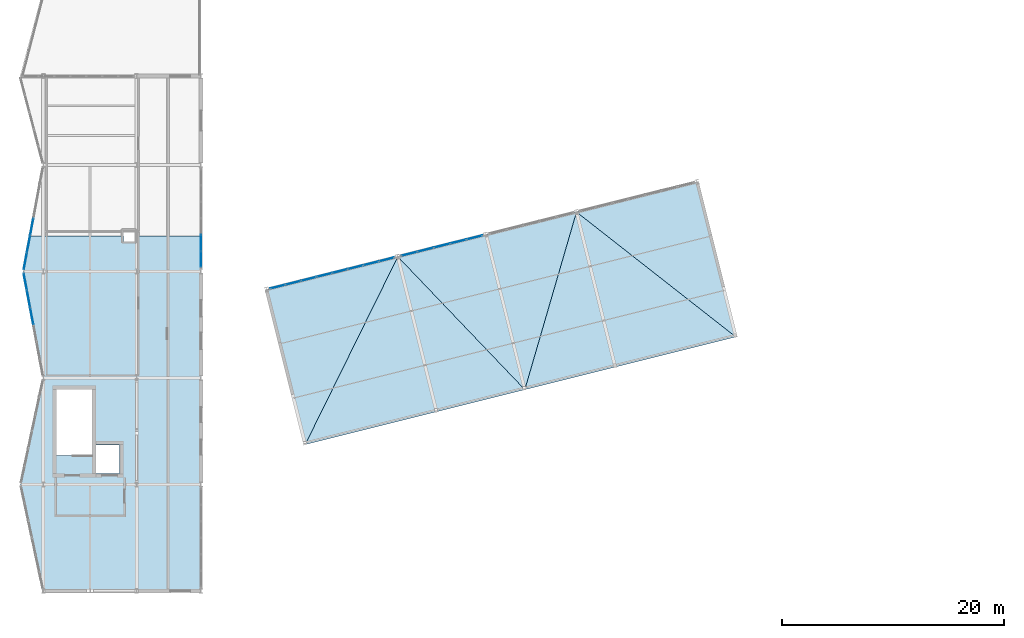
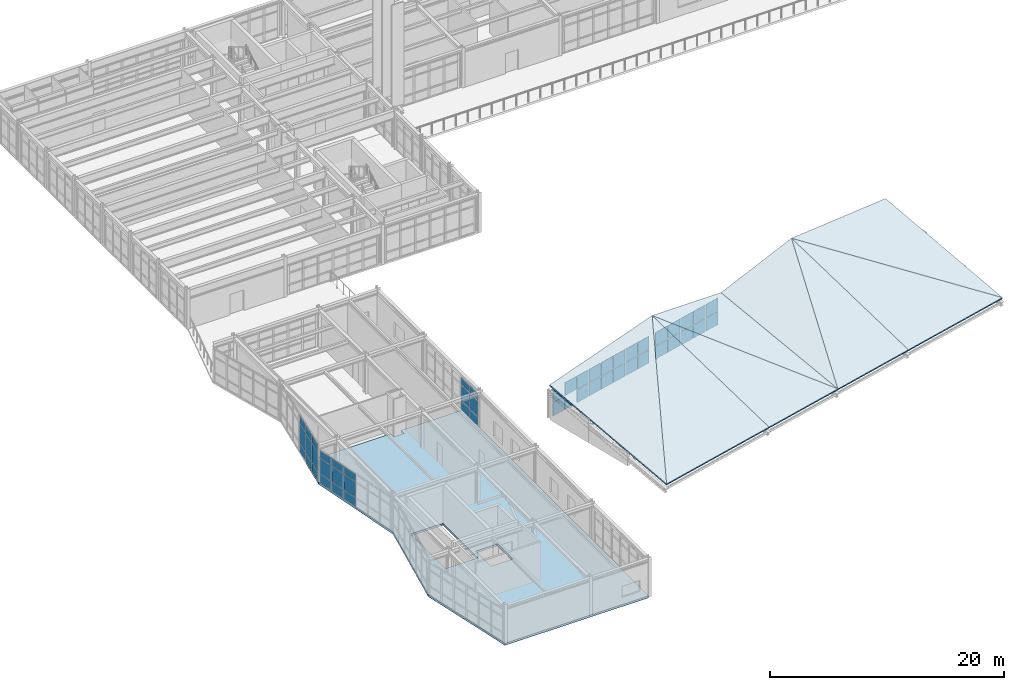
# One storey, part 29 of 47: 50 plates, 9 slabs, 5 elements without a shape of their own.
"""IFC4 building model written with IfcOpenShell, lengths in metres."""

from ifc_helpers import new_model, si_unit, direction, frame, origin, origin_2d, place, context, subcontext, project, spatial, polyline, rectangle, outline, extrude, material, layer, layer_set, type_object, element, aggregate, save


model = new_model("IFC4")

# Units and contexts
model_context = context("Model", 3, precision=1e-05, world=origin(), true_north=direction((0.0, 1.0)))
body_context = subcontext(model_context, "Body", "Model", "MODEL_VIEW")
ifc_project = project(units=[si_unit("LENGTHUNIT", "METRE"), si_unit("AREAUNIT", "SQUARE_METRE"), si_unit("VOLUMEUNIT", "CUBIC_METRE"), si_unit("PLANEANGLEUNIT", "RADIAN"), si_unit("MASSUNIT", "GRAM", prefix="KILO")], contexts=[model_context])

# Site, building, storey
site_placement = place(None, origin())
site = spatial("IfcSite", under=ifc_project, at=site_placement, CompositionType="ELEMENT")
building_placement = place(site_placement, origin())
building = spatial("IfcBuilding", under=site, at=building_placement, Name="Nordkorset Police Headquarters", CompositionType="ELEMENT")
storey_placement = place(building_placement, frame((0.0, 0.0, 22.050048828125)))
storey = spatial("IfcBuildingStorey", under=building, at=storey_placement, Name="L05", CompositionType="ELEMENT", Elevation=22.050048828125)

# Curtain wall, plates
ifc_material_1 = material(Name="Aluminium alloy AW-6060", Category="aluminium")
ifc_layer_1 = layer(ifc_material_1, 0.179931640625, Name="Aluminium alloy AW-6060")
ifc_layer_set_1 = layer_set([ifc_layer_1], Name="Aluminium alloy AW-6060")
curtain_wall_type_1 = type_object("IfcCurtainWallType", Name="CW_Unit_949x350", PredefinedType="USERDEFINED", material=ifc_layer_set_1)
curtain_wall_1_placement = place(storey_placement, origin())
curtain_wall_1 = element("IfcCurtainWall", 1, at=curtain_wall_1_placement, inside=storey, type_object=curtain_wall_type_1, Name="Unitised Curtain Wall L05 V3W-2", ObjectType="UNITISED CURTAIN WALL", PredefinedType="USERDEFINED")
ifc_material_2 = material(Name="Low-iron triple glazing", Category="glass")
ifc_layer_2 = layer(ifc_material_2, 0.035888671875, Name="Low-iron triple glazing")
ifc_layer_set_2 = layer_set([ifc_layer_2], Name="Low-iron triple glazing")
plate_type = type_object("IfcPlateType", Name="CW_Panel_TripleGlazing_36", PredefinedType="CURTAIN_PANEL", material=ifc_layer_set_2)
plate_1_placement = place(storey_placement, frame((-1.045654296875, 53.5771484375, 0.06494140625), z_axis=(0.0, 0.0, 1.0), x_axis=(-0.184288535048, 0.982872186935, 0.0)))
plate_1 = element("IfcPlate", 2, at=plate_1_placement, type_object=plate_type, Name="CW-78 panel 4.1", PredefinedType="CURTAIN_PANEL", context=body_context, shape_type="SweptSolid", body=[
    extrude(rectangle(XDim=1.51611328125, YDim=0.035888671875, at=origin_2d()), origin(), (0.0, 0.0, 1.0), 0.902587890625),
])
plate_2_placement = place(storey_placement, frame((-1.045654296875, 53.5771484375, 1.0322265625), z_axis=(0.0, 0.0, 1.0), x_axis=(-0.184288535048, 0.982872186935, 0.0)))
plate_2 = element("IfcPlate", 3, at=plate_2_placement, type_object=plate_type, Name="CW-78 panel 4.2", PredefinedType="CURTAIN_PANEL", context=body_context, shape_type="SweptSolid", body=[
    extrude(rectangle(XDim=1.51611328125, YDim=0.035888671875, at=origin_2d()), origin(), (0.0, 0.0, 1.0), 1.590087890625),
])
plate_3_placement = place(storey_placement, frame((-1.045654296875, 53.5771484375, 2.6875), z_axis=(0.0, 0.0, 1.0), x_axis=(-0.184288535048, 0.982872186935, 0.0)))
plate_3 = element("IfcPlate", 4, at=plate_3_placement, type_object=plate_type, Name="CW-78 panel 4.3", PredefinedType="CURTAIN_PANEL", context=body_context, shape_type="SweptSolid", body=[
    extrude(rectangle(XDim=1.51611328125, YDim=0.035888671875, at=origin_2d()), origin(), (0.0, 0.0, 1.0), 0.75244140625),
])
plate_4_placement = place(storey_placement, frame((-1.337158203125, 55.131103515625, 0.06494140625), z_axis=(0.0, 0.0, 1.0), x_axis=(-0.184288535048, 0.982872186935, 0.0)))
plate_4 = element("IfcPlate", 5, at=plate_4_placement, type_object=plate_type, Name="CW-78 panel 5.1", PredefinedType="CURTAIN_PANEL", context=body_context, shape_type="SweptSolid", body=[
    extrude(rectangle(XDim=1.51611328125, YDim=0.035888671875, at=origin_2d()), origin(), (0.0, 0.0, 1.0), 0.902587890625),
])
plate_5_placement = place(storey_placement, frame((-1.337158203125, 55.131103515625, 1.0322265625), z_axis=(0.0, 0.0, 1.0), x_axis=(-0.184288535048, 0.982872186935, 0.0)))
plate_5 = element("IfcPlate", 6, at=plate_5_placement, type_object=plate_type, Name="CW-78 panel 5.2", PredefinedType="CURTAIN_PANEL", context=body_context, shape_type="SweptSolid", body=[
    extrude(rectangle(XDim=1.51611328125, YDim=0.035888671875, at=origin_2d()), origin(), (0.0, 0.0, 1.0), 1.590087890625),
])
plate_6_placement = place(storey_placement, frame((-1.337158203125, 55.131103515625, 2.6875), z_axis=(0.0, 0.0, 1.0), x_axis=(-0.184288535048, 0.982872186935, 0.0)))
plate_6 = element("IfcPlate", 7, at=plate_6_placement, type_object=plate_type, Name="CW-78 panel 5.3", PredefinedType="CURTAIN_PANEL", context=body_context, shape_type="SweptSolid", body=[
    extrude(rectangle(XDim=1.51611328125, YDim=0.035888671875, at=origin_2d()), origin(), (0.0, 0.0, 1.0), 0.75244140625),
])
plate_7_placement = place(storey_placement, frame((-1.62548828125, 56.66943359375, 0.06494140625), z_axis=(0.0, 0.0, 1.0), x_axis=(-0.184288535048, 0.982872186935, 0.0)))
plate_7 = element("IfcPlate", 8, at=plate_7_placement, type_object=plate_type, Name="CW-78 panel 6.1", PredefinedType="CURTAIN_PANEL", context=body_context, shape_type="SweptSolid", body=[
    extrude(rectangle(XDim=1.483642578125, YDim=0.035888671875, at=origin_2d()), origin(), (0.0, 0.0, 1.0), 0.902587890625),
])
plate_8_placement = place(storey_placement, frame((-1.62548828125, 56.66943359375, 1.0322265625), z_axis=(0.0, 0.0, 1.0), x_axis=(-0.184288535048, 0.982872186935, 0.0)))
plate_8 = element("IfcPlate", 9, at=plate_8_placement, type_object=plate_type, Name="CW-78 panel 6.2", PredefinedType="CURTAIN_PANEL", context=body_context, shape_type="SweptSolid", body=[
    extrude(rectangle(XDim=1.483642578125, YDim=0.035888671875, at=origin_2d()), origin(), (0.0, 0.0, 1.0), 1.590087890625),
])
plate_9_placement = place(storey_placement, frame((-1.62548828125, 56.66943359375, 2.6875), z_axis=(0.0, 0.0, 1.0), x_axis=(-0.184288535048, 0.982872186935, 0.0)))
plate_9 = element("IfcPlate", 10, at=plate_9_placement, type_object=plate_type, Name="CW-78 panel 6.3", PredefinedType="CURTAIN_PANEL", context=body_context, shape_type="SweptSolid", body=[
    extrude(rectangle(XDim=1.483642578125, YDim=0.035888671875, at=origin_2d()), origin(), (0.0, 0.0, 1.0), 0.75244140625),
])
aggregate(curtain_wall_1, [plate_1, plate_2, plate_3, plate_4, plate_5, plate_6, plate_7, plate_8, plate_9])

ifc_material_3 = material(Name="Aluminium alloy AW-6060", Category="aluminium")
ifc_layer_3 = layer(ifc_material_3, 0.179931640625, Name="Aluminium alloy AW-6060")
ifc_layer_set_3 = layer_set([ifc_layer_3], Name="Aluminium alloy AW-6060")
curtain_wall_type_2 = type_object("IfcCurtainWallType", Name="CW_Unit_949x392", PredefinedType="USERDEFINED", material=ifc_layer_set_3)
curtain_wall_2_placement = place(storey_placement, origin())
curtain_wall_2 = element("IfcCurtainWall", 11, at=curtain_wall_2_placement, inside=storey, type_object=curtain_wall_type_2, Name="Unitised Curtain Wall L05 V3W-3", ObjectType="UNITISED CURTAIN WALL", PredefinedType="USERDEFINED")
plate_10_placement = place(storey_placement, frame((-1.62548828125, 58.530517578125, 0.06494140625), z_axis=(0.0, 0.0, 1.0), x_axis=(0.184288535048, 0.982872186935, 0.0)))
plate_10 = element("IfcPlate", 12, at=plate_10_placement, type_object=plate_type, Name="CW-49 panel 1.1", PredefinedType="CURTAIN_PANEL", context=body_context, shape_type="SweptSolid", body=[
    extrude(rectangle(XDim=1.483642578125, YDim=0.035888671875, at=origin_2d()), origin(), (0.0, 0.0, 1.0), 0.902587890625),
])
plate_11_placement = place(storey_placement, frame((-1.62548828125, 58.530517578125, 1.032470703125), z_axis=(0.0, 0.0, 1.0), x_axis=(0.184288535048, 0.982872186935, 0.0)))
plate_11 = element("IfcPlate", 13, at=plate_11_placement, type_object=plate_type, Name="CW-49 panel 1.2", PredefinedType="CURTAIN_PANEL", context=body_context, shape_type="SweptSolid", body=[
    extrude(rectangle(XDim=1.483642578125, YDim=0.035888671875, at=origin_2d()), origin(), (0.0, 0.0, 1.0), 2.0048828125),
])
plate_12_placement = place(storey_placement, frame((-1.62548828125, 58.530517578125, 3.1025390625), z_axis=(0.0, 0.0, 1.0), x_axis=(0.184288535048, 0.982872186935, 0.0)))
plate_12 = element("IfcPlate", 14, at=plate_12_placement, type_object=plate_type, Name="CW-49 panel 1.3", PredefinedType="CURTAIN_PANEL", context=body_context, shape_type="SweptSolid", body=[
    extrude(rectangle(XDim=1.483642578125, YDim=0.035888671875, at=origin_2d()), origin(), (0.0, 0.0, 1.0), 0.75244140625),
])
plate_13_placement = place(storey_placement, frame((-1.337158203125, 60.06884765625, 0.06494140625), z_axis=(0.0, 0.0, 1.0), x_axis=(0.184288535048, 0.982872186935, 0.0)))
plate_13 = element("IfcPlate", 15, at=plate_13_placement, type_object=plate_type, Name="CW-49 panel 2.1", PredefinedType="CURTAIN_PANEL", context=body_context, shape_type="SweptSolid", body=[
    extrude(rectangle(XDim=1.51611328125, YDim=0.035888671875, at=origin_2d()), origin(), (0.0, 0.0, 1.0), 0.902587890625),
])
plate_14_placement = place(storey_placement, frame((-1.337158203125, 60.06884765625, 1.032470703125), z_axis=(0.0, 0.0, 1.0), x_axis=(0.184288535048, 0.982872186935, 0.0)))
plate_14 = element("IfcPlate", 16, at=plate_14_placement, type_object=plate_type, Name="CW-49 panel 2.2", PredefinedType="CURTAIN_PANEL", context=body_context, shape_type="SweptSolid", body=[
    extrude(rectangle(XDim=1.51611328125, YDim=0.035888671875, at=origin_2d()), origin(), (0.0, 0.0, 1.0), 2.0048828125),
])
plate_15_placement = place(storey_placement, frame((-1.337158203125, 60.06884765625, 3.1025390625), z_axis=(0.0, 0.0, 1.0), x_axis=(0.184288535048, 0.982872186935, 0.0)))
plate_15 = element("IfcPlate", 17, at=plate_15_placement, type_object=plate_type, Name="CW-49 panel 2.3", PredefinedType="CURTAIN_PANEL", context=body_context, shape_type="SweptSolid", body=[
    extrude(rectangle(XDim=1.51611328125, YDim=0.035888671875, at=origin_2d()), origin(), (0.0, 0.0, 1.0), 0.75244140625),
])
plate_16_placement = place(storey_placement, frame((-1.045654296875, 61.623046875, 0.06494140625), z_axis=(0.0, 0.0, 1.0), x_axis=(0.184288535048, 0.982872186935, 0.0)))
plate_16 = element("IfcPlate", 18, at=plate_16_placement, type_object=plate_type, Name="CW-49 panel 3.1", PredefinedType="CURTAIN_PANEL", context=body_context, shape_type="SweptSolid", body=[
    extrude(rectangle(XDim=1.51611328125, YDim=0.035888671875, at=origin_2d()), origin(), (0.0, 0.0, 1.0), 0.902587890625),
])
plate_17_placement = place(storey_placement, frame((-1.045654296875, 61.623046875, 1.032470703125), z_axis=(0.0, 0.0, 1.0), x_axis=(0.184288535048, 0.982872186935, 0.0)))
plate_17 = element("IfcPlate", 19, at=plate_17_placement, type_object=plate_type, Name="CW-49 panel 3.2", PredefinedType="CURTAIN_PANEL", context=body_context, shape_type="SweptSolid", body=[
    extrude(rectangle(XDim=1.51611328125, YDim=0.035888671875, at=origin_2d()), origin(), (0.0, 0.0, 1.0), 2.0048828125),
])
plate_18_placement = place(storey_placement, frame((-1.045654296875, 61.623046875, 3.1025390625), z_axis=(0.0, 0.0, 1.0), x_axis=(0.184288535048, 0.982872186935, 0.0)))
plate_18 = element("IfcPlate", 20, at=plate_18_placement, type_object=plate_type, Name="CW-49 panel 3.3", PredefinedType="CURTAIN_PANEL", context=body_context, shape_type="SweptSolid", body=[
    extrude(rectangle(XDim=1.51611328125, YDim=0.035888671875, at=origin_2d()), origin(), (0.0, 0.0, 1.0), 0.75244140625),
])
aggregate(curtain_wall_2, [plate_10, plate_11, plate_12, plate_13, plate_14, plate_15, plate_16, plate_17, plate_18])

ifc_material_4 = material(Name="Aluminium alloy AW-6060", Category="aluminium")
ifc_layer_4 = layer(ifc_material_4, 0.179931640625, Name="Aluminium alloy AW-6060")
ifc_layer_set_4 = layer_set([ifc_layer_4], Name="Aluminium alloy AW-6060")
curtain_wall_type_3 = type_object("IfcCurtainWallType", Name="CW_Unit_888x350", PredefinedType="USERDEFINED", material=ifc_layer_set_4)
curtain_wall_3_placement = place(storey_placement, origin())
curtain_wall_3 = element("IfcCurtainWall", 21, at=curtain_wall_3_placement, inside=storey, type_object=curtain_wall_type_3, Name="Unitised Curtain Wall L05 V3E-3", ObjectType="UNITISED CURTAIN WALL", PredefinedType="USERDEFINED")
plate_19_placement = place(storey_placement, frame((14.199951171875, 58.71630859375, 0.06494140625), z_axis=(0.0, 0.0, 1.0), x_axis=(0.0, 1.0, 0.0)))
plate_19 = element("IfcPlate", 22, at=plate_19_placement, type_object=plate_type, Name="CW-95 panel 1.1", PredefinedType="CURTAIN_PANEL", context=body_context, shape_type="SweptSolid", body=[
    extrude(rectangle(XDim=1.382568359375, YDim=0.035888671875, at=origin_2d()), origin(), (0.0, 0.0, 1.0), 0.902587890625),
])
plate_20_placement = place(storey_placement, frame((14.199951171875, 58.71630859375, 1.0322265625), z_axis=(0.0, 0.0, 1.0), x_axis=(0.0, 1.0, 0.0)))
plate_20 = element("IfcPlate", 23, at=plate_20_placement, type_object=plate_type, Name="CW-95 panel 1.2", PredefinedType="CURTAIN_PANEL", context=body_context, shape_type="SweptSolid", body=[
    extrude(rectangle(XDim=1.382568359375, YDim=0.035888671875, at=origin_2d()), origin(), (0.0, 0.0, 1.0), 1.590087890625),
])
plate_21_placement = place(storey_placement, frame((14.199951171875, 58.71630859375, 2.6875), z_axis=(0.0, 0.0, 1.0), x_axis=(0.0, 1.0, 0.0)))
plate_21 = element("IfcPlate", 24, at=plate_21_placement, type_object=plate_type, Name="CW-95 panel 1.3", PredefinedType="CURTAIN_PANEL", context=body_context, shape_type="SweptSolid", body=[
    extrude(rectangle(XDim=1.382568359375, YDim=0.035888671875, at=origin_2d()), origin(), (0.0, 0.0, 1.0), 0.75244140625),
])
plate_22_placement = place(storey_placement, frame((14.199951171875, 60.179931640625, 0.06494140625), z_axis=(0.0, 0.0, 1.0), x_axis=(0.0, 1.0, 0.0)))
plate_22 = element("IfcPlate", 25, at=plate_22_placement, type_object=plate_type, Name="CW-95 panel 2.1", PredefinedType="CURTAIN_PANEL", context=body_context, shape_type="SweptSolid", body=[
    extrude(rectangle(XDim=1.4150390625, YDim=0.035888671875, at=origin_2d()), origin(), (0.0, 0.0, 1.0), 0.902587890625),
])
plate_23_placement = place(storey_placement, frame((14.199951171875, 60.179931640625, 1.0322265625), z_axis=(0.0, 0.0, 1.0), x_axis=(0.0, 1.0, 0.0)))
plate_23 = element("IfcPlate", 26, at=plate_23_placement, type_object=plate_type, Name="CW-95 panel 2.2", PredefinedType="CURTAIN_PANEL", context=body_context, shape_type="SweptSolid", body=[
    extrude(rectangle(XDim=1.4150390625, YDim=0.035888671875, at=origin_2d()), origin(), (0.0, 0.0, 1.0), 1.590087890625),
])
plate_24_placement = place(storey_placement, frame((14.199951171875, 60.179931640625, 2.6875), z_axis=(0.0, 0.0, 1.0), x_axis=(0.0, 1.0, 0.0)))
plate_24 = element("IfcPlate", 27, at=plate_24_placement, type_object=plate_type, Name="CW-95 panel 2.3", PredefinedType="CURTAIN_PANEL", context=body_context, shape_type="SweptSolid", body=[
    extrude(rectangle(XDim=1.4150390625, YDim=0.035888671875, at=origin_2d()), origin(), (0.0, 0.0, 1.0), 0.75244140625),
])
aggregate(curtain_wall_3, [plate_19, plate_20, plate_21, plate_22, plate_23, plate_24])

ifc_material_5 = material(Name="Aluminium alloy AW-6060", Category="aluminium")
ifc_layer_5 = layer(ifc_material_5, 0.179931640625, Name="Aluminium alloy AW-6060")
ifc_layer_set_5 = layer_set([ifc_layer_5], Name="Aluminium alloy AW-6060")
curtain_wall_type_4 = type_object("IfcCurtainWallType", Name="CW_Unit_1160x293", PredefinedType="USERDEFINED", material=ifc_layer_set_5)
curtain_wall_4_placement = place(storey_placement, origin())
curtain_wall_4 = element("IfcCurtainWall", 28, at=curtain_wall_4_placement, inside=storey, type_object=curtain_wall_type_4, Name="Unitised Curtain Wall L05 V4CLER-0", ObjectType="UNITISED CURTAIN WALL", PredefinedType="USERDEFINED")
plate_25_placement = place(storey_placement, frame((21.11767578125, 56.22265625, 0.06494140625), z_axis=(0.0, 0.0, 1.0), x_axis=(0.970142348013, 0.242536233563, 0.0)))
plate_25 = element("IfcPlate", 29, at=plate_25_placement, type_object=plate_type, Name="CW-92 panel 1.1", PredefinedType="CURTAIN_PANEL", context=body_context, shape_type="SweptSolid", body=[
    extrude(rectangle(XDim=1.3525390625, YDim=0.035888671875, at=origin_2d()), origin(), (0.0, 0.0, 1.0), 1.367431640625),
])
plate_26_placement = place(storey_placement, frame((21.11767578125, 56.22265625, 1.49755859375), z_axis=(0.0, 0.0, 1.0), x_axis=(0.970142348013, 0.242536233563, 0.0)))
plate_26 = element("IfcPlate", 30, at=plate_26_placement, type_object=plate_type, Name="CW-92 panel 1.2", PredefinedType="CURTAIN_PANEL", context=body_context, shape_type="SweptSolid", body=[
    extrude(rectangle(XDim=1.3525390625, YDim=0.035888671875, at=origin_2d()), origin(), (0.0, 0.0, 1.0), 1.367431640625),
])
plate_27_placement = place(storey_placement, frame((22.508544921875, 56.5703125, 0.06494140625), z_axis=(0.0, 0.0, 1.0), x_axis=(0.970142348013, 0.242536233563, 0.0)))
plate_27 = element("IfcPlate", 31, at=plate_27_placement, type_object=plate_type, Name="CW-92 panel 2.1", PredefinedType="CURTAIN_PANEL", context=body_context, shape_type="SweptSolid", body=[
    extrude(rectangle(XDim=1.385009765625, YDim=0.035888671875, at=origin_2d()), origin(), (0.0, 0.0, 1.0), 1.367431640625),
])
plate_28_placement = place(storey_placement, frame((22.508544921875, 56.5703125, 1.49755859375), z_axis=(0.0, 0.0, 1.0), x_axis=(0.970142348013, 0.242536233563, 0.0)))
plate_28 = element("IfcPlate", 32, at=plate_28_placement, type_object=plate_type, Name="CW-92 panel 2.2", PredefinedType="CURTAIN_PANEL", context=body_context, shape_type="SweptSolid", body=[
    extrude(rectangle(XDim=1.385009765625, YDim=0.035888671875, at=origin_2d()), origin(), (0.0, 0.0, 1.0), 1.367431640625),
])
plate_29_placement = place(storey_placement, frame((23.915283203125, 56.922119140625, 0.06494140625), z_axis=(0.0, 0.0, 1.0), x_axis=(0.970142348013, 0.242536233563, 0.0)))
plate_29 = element("IfcPlate", 33, at=plate_29_placement, type_object=plate_type, Name="CW-92 panel 3.1", PredefinedType="CURTAIN_PANEL", context=body_context, shape_type="SweptSolid", body=[
    extrude(rectangle(XDim=1.385009765625, YDim=0.035888671875, at=origin_2d()), origin(), (0.0, 0.0, 1.0), 1.367431640625),
])
plate_30_placement = place(storey_placement, frame((23.915283203125, 56.922119140625, 1.49755859375), z_axis=(0.0, 0.0, 1.0), x_axis=(0.970142348013, 0.242536233563, 0.0)))
plate_30 = element("IfcPlate", 34, at=plate_30_placement, type_object=plate_type, Name="CW-92 panel 3.2", PredefinedType="CURTAIN_PANEL", context=body_context, shape_type="SweptSolid", body=[
    extrude(rectangle(XDim=1.385009765625, YDim=0.035888671875, at=origin_2d()), origin(), (0.0, 0.0, 1.0), 1.367431640625),
])
plate_31_placement = place(storey_placement, frame((25.322021484375, 57.273681640625, 0.06494140625), z_axis=(0.0, 0.0, 1.0), x_axis=(0.970142348013, 0.242536233563, 0.0)))
plate_31 = element("IfcPlate", 35, at=plate_31_placement, type_object=plate_type, Name="CW-92 panel 4.1", PredefinedType="CURTAIN_PANEL", context=body_context, shape_type="SweptSolid", body=[
    extrude(rectangle(XDim=1.385009765625, YDim=0.035888671875, at=origin_2d()), origin(), (0.0, 0.0, 1.0), 1.367431640625),
])
plate_32_placement = place(storey_placement, frame((25.322021484375, 57.273681640625, 1.49755859375), z_axis=(0.0, 0.0, 1.0), x_axis=(0.970142348013, 0.242536233563, 0.0)))
plate_32 = element("IfcPlate", 36, at=plate_32_placement, type_object=plate_type, Name="CW-92 panel 4.2", PredefinedType="CURTAIN_PANEL", context=body_context, shape_type="SweptSolid", body=[
    extrude(rectangle(XDim=1.385009765625, YDim=0.035888671875, at=origin_2d()), origin(), (0.0, 0.0, 1.0), 1.367431640625),
])
plate_33_placement = place(storey_placement, frame((26.728759765625, 57.625244140625, 0.06494140625), z_axis=(0.0, 0.0, 1.0), x_axis=(0.970142348013, 0.242536233563, 0.0)))
plate_33 = element("IfcPlate", 37, at=plate_33_placement, type_object=plate_type, Name="CW-92 panel 5.1", PredefinedType="CURTAIN_PANEL", context=body_context, shape_type="SweptSolid", body=[
    extrude(rectangle(XDim=1.385009765625, YDim=0.035888671875, at=origin_2d()), origin(), (0.0, 0.0, 1.0), 1.367431640625),
])
plate_34_placement = place(storey_placement, frame((26.728759765625, 57.625244140625, 1.49755859375), z_axis=(0.0, 0.0, 1.0), x_axis=(0.970142348013, 0.242536233563, 0.0)))
plate_34 = element("IfcPlate", 38, at=plate_34_placement, type_object=plate_type, Name="CW-92 panel 5.2", PredefinedType="CURTAIN_PANEL", context=body_context, shape_type="SweptSolid", body=[
    extrude(rectangle(XDim=1.385009765625, YDim=0.035888671875, at=origin_2d()), origin(), (0.0, 0.0, 1.0), 1.367431640625),
])
plate_35_placement = place(storey_placement, frame((28.135498046875, 57.97705078125, 0.06494140625), z_axis=(0.0, 0.0, 1.0), x_axis=(0.970142348013, 0.242536233563, 0.0)))
plate_35 = element("IfcPlate", 39, at=plate_35_placement, type_object=plate_type, Name="CW-92 panel 6.1", PredefinedType="CURTAIN_PANEL", context=body_context, shape_type="SweptSolid", body=[
    extrude(rectangle(XDim=1.385009765625, YDim=0.035888671875, at=origin_2d()), origin(), (0.0, 0.0, 1.0), 1.367431640625),
])
plate_36_placement = place(storey_placement, frame((28.135498046875, 57.97705078125, 1.49755859375), z_axis=(0.0, 0.0, 1.0), x_axis=(0.970142348013, 0.242536233563, 0.0)))
plate_36 = element("IfcPlate", 40, at=plate_36_placement, type_object=plate_type, Name="CW-92 panel 6.2", PredefinedType="CURTAIN_PANEL", context=body_context, shape_type="SweptSolid", body=[
    extrude(rectangle(XDim=1.385009765625, YDim=0.035888671875, at=origin_2d()), origin(), (0.0, 0.0, 1.0), 1.367431640625),
])
plate_37_placement = place(storey_placement, frame((29.542236328125, 58.32861328125, 0.06494140625), z_axis=(0.0, 0.0, 1.0), x_axis=(0.970142348013, 0.242536233563, 0.0)))
plate_37 = element("IfcPlate", 41, at=plate_37_placement, type_object=plate_type, Name="CW-92 panel 7.1", PredefinedType="CURTAIN_PANEL", context=body_context, shape_type="SweptSolid", body=[
    extrude(rectangle(XDim=1.385009765625, YDim=0.035888671875, at=origin_2d()), origin(), (0.0, 0.0, 1.0), 1.367431640625),
])
plate_38_placement = place(storey_placement, frame((29.542236328125, 58.32861328125, 1.49755859375), z_axis=(0.0, 0.0, 1.0), x_axis=(0.970142348013, 0.242536233563, 0.0)))
plate_38 = element("IfcPlate", 42, at=plate_38_placement, type_object=plate_type, Name="CW-92 panel 7.2", PredefinedType="CURTAIN_PANEL", context=body_context, shape_type="SweptSolid", body=[
    extrude(rectangle(XDim=1.385009765625, YDim=0.035888671875, at=origin_2d()), origin(), (0.0, 0.0, 1.0), 1.367431640625),
])
plate_39_placement = place(storey_placement, frame((30.93310546875, 58.676513671875, 0.06494140625), z_axis=(0.0, 0.0, 1.0), x_axis=(0.970142348013, 0.242536233563, 0.0)))
plate_39 = element("IfcPlate", 43, at=plate_39_placement, type_object=plate_type, Name="CW-92 panel 8.1", PredefinedType="CURTAIN_PANEL", context=body_context, shape_type="SweptSolid", body=[
    extrude(rectangle(XDim=1.3525390625, YDim=0.035888671875, at=origin_2d()), origin(), (0.0, 0.0, 1.0), 1.367431640625),
])
plate_40_placement = place(storey_placement, frame((30.93310546875, 58.676513671875, 1.49755859375), z_axis=(0.0, 0.0, 1.0), x_axis=(0.970142348013, 0.242536233563, 0.0)))
plate_40 = element("IfcPlate", 44, at=plate_40_placement, type_object=plate_type, Name="CW-92 panel 8.2", PredefinedType="CURTAIN_PANEL", context=body_context, shape_type="SweptSolid", body=[
    extrude(rectangle(XDim=1.3525390625, YDim=0.035888671875, at=origin_2d()), origin(), (0.0, 0.0, 1.0), 1.367431640625),
])
aggregate(curtain_wall_4, [plate_25, plate_26, plate_27, plate_28, plate_29, plate_30, plate_31, plate_32, plate_33, plate_34, plate_35, plate_36, plate_37, plate_38, plate_39, plate_40])

ifc_material_6 = material(Name="Aluminium alloy AW-6060", Category="aluminium")
ifc_layer_6 = layer(ifc_material_6, 0.179931640625, Name="Aluminium alloy AW-6060")
ifc_layer_set_6 = layer_set([ifc_layer_6], Name="Aluminium alloy AW-6060")
curtain_wall_type_5 = type_object("IfcCurtainWallType", Name="CW_Unit_760x293", PredefinedType="USERDEFINED", material=ifc_layer_set_6)
curtain_wall_5_placement = place(storey_placement, origin())
curtain_wall_5 = element("IfcCurtainWall", 45, at=curtain_wall_5_placement, inside=storey, type_object=curtain_wall_type_5, Name="Unitised Curtain Wall L05 V4CLER-1", ObjectType="UNITISED CURTAIN WALL", PredefinedType="USERDEFINED")
plate_41_placement = place(storey_placement, frame((32.9873046875, 59.18994140625, 0.06494140625), z_axis=(0.0, 0.0, 1.0), x_axis=(0.970142500145, 0.242535625038, 0.0)))
plate_41 = element("IfcPlate", 46, at=plate_41_placement, type_object=plate_type, Name="CW-94 panel 1.1", PredefinedType="CURTAIN_PANEL", context=body_context, shape_type="SweptSolid", body=[
    extrude(rectangle(XDim=1.422607421875, YDim=0.035888671875, at=origin_2d()), origin(), (0.0, 0.0, 1.0), 1.367431640625),
])
plate_42_placement = place(storey_placement, frame((32.9873046875, 59.18994140625, 1.49755859375), z_axis=(0.0, 0.0, 1.0), x_axis=(0.970142500145, 0.242535625038, 0.0)))
plate_42 = element("IfcPlate", 47, at=plate_42_placement, type_object=plate_type, Name="CW-94 panel 1.2", PredefinedType="CURTAIN_PANEL", context=body_context, shape_type="SweptSolid", body=[
    extrude(rectangle(XDim=1.422607421875, YDim=0.035888671875, at=origin_2d()), origin(), (0.0, 0.0, 1.0), 1.367431640625),
])
plate_43_placement = place(storey_placement, frame((34.4462890625, 59.5546875, 0.06494140625), z_axis=(0.0, 0.0, 1.0), x_axis=(0.970142500145, 0.242535625038, 0.0)))
plate_43 = element("IfcPlate", 48, at=plate_43_placement, type_object=plate_type, Name="CW-94 panel 2.1", PredefinedType="CURTAIN_PANEL", context=body_context, shape_type="SweptSolid", body=[
    extrude(rectangle(XDim=1.455078125, YDim=0.035888671875, at=origin_2d()), origin(), (0.0, 0.0, 1.0), 1.367431640625),
])
plate_44_placement = place(storey_placement, frame((34.4462890625, 59.5546875, 1.49755859375), z_axis=(0.0, 0.0, 1.0), x_axis=(0.970142500145, 0.242535625038, 0.0)))
plate_44 = element("IfcPlate", 49, at=plate_44_placement, type_object=plate_type, Name="CW-94 panel 2.2", PredefinedType="CURTAIN_PANEL", context=body_context, shape_type="SweptSolid", body=[
    extrude(rectangle(XDim=1.455078125, YDim=0.035888671875, at=origin_2d()), origin(), (0.0, 0.0, 1.0), 1.367431640625),
])
plate_45_placement = place(storey_placement, frame((35.9208984375, 59.92333984375, 0.06494140625), z_axis=(0.0, 0.0, 1.0), x_axis=(0.970142500145, 0.242535625038, 0.0)))
plate_45 = element("IfcPlate", 50, at=plate_45_placement, type_object=plate_type, Name="CW-94 panel 3.1", PredefinedType="CURTAIN_PANEL", context=body_context, shape_type="SweptSolid", body=[
    extrude(rectangle(XDim=1.455078125, YDim=0.035888671875, at=origin_2d()), origin(), (0.0, 0.0, 1.0), 1.367431640625),
])
plate_46_placement = place(storey_placement, frame((35.9208984375, 59.92333984375, 1.49755859375), z_axis=(0.0, 0.0, 1.0), x_axis=(0.970142500145, 0.242535625038, 0.0)))
plate_46 = element("IfcPlate", 51, at=plate_46_placement, type_object=plate_type, Name="CW-94 panel 3.2", PredefinedType="CURTAIN_PANEL", context=body_context, shape_type="SweptSolid", body=[
    extrude(rectangle(XDim=1.455078125, YDim=0.035888671875, at=origin_2d()), origin(), (0.0, 0.0, 1.0), 1.367431640625),
])
plate_47_placement = place(storey_placement, frame((37.3955078125, 60.2919921875, 0.06494140625), z_axis=(0.0, 0.0, 1.0), x_axis=(0.970142500145, 0.242535625038, 0.0)))
plate_47 = element("IfcPlate", 52, at=plate_47_placement, type_object=plate_type, Name="CW-94 panel 4.1", PredefinedType="CURTAIN_PANEL", context=body_context, shape_type="SweptSolid", body=[
    extrude(rectangle(XDim=1.455078125, YDim=0.035888671875, at=origin_2d()), origin(), (0.0, 0.0, 1.0), 1.367431640625),
])
plate_48_placement = place(storey_placement, frame((37.3955078125, 60.2919921875, 1.49755859375), z_axis=(0.0, 0.0, 1.0), x_axis=(0.970142500145, 0.242535625038, 0.0)))
plate_48 = element("IfcPlate", 53, at=plate_48_placement, type_object=plate_type, Name="CW-94 panel 4.2", PredefinedType="CURTAIN_PANEL", context=body_context, shape_type="SweptSolid", body=[
    extrude(rectangle(XDim=1.455078125, YDim=0.035888671875, at=origin_2d()), origin(), (0.0, 0.0, 1.0), 1.367431640625),
])
plate_49_placement = place(storey_placement, frame((38.854248046875, 60.65673828125, 0.06494140625), z_axis=(0.0, 0.0, 1.0), x_axis=(0.970142500145, 0.242535625038, 0.0)))
plate_49 = element("IfcPlate", 54, at=plate_49_placement, type_object=plate_type, Name="CW-94 panel 5.1", PredefinedType="CURTAIN_PANEL", context=body_context, shape_type="SweptSolid", body=[
    extrude(rectangle(XDim=1.422607421875, YDim=0.035888671875, at=origin_2d()), origin(), (0.0, 0.0, 1.0), 1.367431640625),
])
plate_50_placement = place(storey_placement, frame((38.854248046875, 60.65673828125, 1.49755859375), z_axis=(0.0, 0.0, 1.0), x_axis=(0.970142500145, 0.242535625038, 0.0)))
plate_50 = element("IfcPlate", 55, at=plate_50_placement, type_object=plate_type, Name="CW-94 panel 5.2", PredefinedType="CURTAIN_PANEL", context=body_context, shape_type="SweptSolid", body=[
    extrude(rectangle(XDim=1.422607421875, YDim=0.035888671875, at=origin_2d()), origin(), (0.0, 0.0, 1.0), 1.367431640625),
])
aggregate(curtain_wall_5, [plate_41, plate_42, plate_43, plate_44, plate_45, plate_46, plate_47, plate_48, plate_49, plate_50])

# Slabs
ifc_material_7 = material(Name="Concrete C35/45", Category="concrete")
ifc_layer_7 = layer(ifc_material_7, 0.2099609375, Name="Concrete C35/45")
ifc_layer_set_7 = layer_set([ifc_layer_7], Name="Concrete C35/45")
slab_type_1 = type_object("IfcSlabType", Name="Slab_Office_210", PredefinedType="FLOOR", material=ifc_layer_set_7)
slab_1_placement = place(storey_placement, frame((0.0, 0.0, -0.2099609375)))
element("IfcSlab", 56, at=slab_1_placement, inside=storey, type_object=slab_type_1, Name="Composite Floor Slab V3 South L05", PredefinedType="FLOOR", context=body_context, shape_type="SweptSolid", body=[
    extrude(outline(polyline([(0.0, 48.0), (-1.800048828125, 57.60009765625), (-1.199951171875, 60.800048828125), (7.199951171875, 60.800048828125), (7.199951171875, 60.300048828125), (8.199951171875, 60.300048828125), (8.199951171875, 60.800048828125), (14.199951171875, 60.800048828125), (14.199951171875, 28.800048828125), (0.0, 28.800048828125), (-2.050048828125, 38.39990234375), (0.0, 48.0)]), holes=[polyline([(1.175048828125, 46.97509765625), (1.175048828125, 41.028076171875), (4.375, 41.028076171875), (4.375, 46.97509765625), (1.175048828125, 46.97509765625)]), polyline([(6.875, 41.97509765625), (4.72509765625, 41.97509765625), (4.72509765625, 39.375), (6.875, 39.375), (6.875, 41.97509765625)])]), origin(), (0.0, 0.0, 1.0), 0.2099609375),
])
ifc_material_8 = material(Name="Concrete C35/45", Category="concrete")
ifc_layer_8 = layer(ifc_material_8, 0.175048828125, Name="Concrete C35/45")
ifc_layer_set_8 = layer_set([ifc_layer_8], Name="Concrete C35/45")
slab_type_2 = type_object("IfcSlabType", Name="Slab_RoofFold_175", PredefinedType="ROOF", material=ifc_layer_set_8)
slab_2_placement = place(storey_placement, frame((23.60009765625, 42.0, 0.389892578125), z_axis=(0.071024540668, -0.284092302559, 0.956162683987), x_axis=(0.970141322982, 0.24254033364, 0.0)))
element("IfcSlab", 57, at=slab_2_placement, inside=storey, type_object=slab_type_2, Name="Splayed Wing Folded Origami Roof Facet 1A", PredefinedType="ROOF", context=body_context, shape_type="SweptSolid", body=[
    extrude(outline(polyline([(0.0, 0.0), (12.199968271624629, -4.440892098500626e-16), (12.199860523734912, 15.060157492433653), (0.0, 0.0)])), origin(), (0.0, 0.0, -1.0), 0.175048828125),
])
slab_3_placement = place(storey_placement, frame((23.60009765625, 42.0, 0.389892578125), z_axis=(-0.049578165526, -0.228834631287, 0.972201993943), x_axis=(0.430461571382, 0.873456700355, 0.227543903826)))
element("IfcSlab", 58, at=slab_3_placement, inside=storey, type_object=slab_type_2, Name="Splayed Wing Folded Origami Roof Facet 1B", PredefinedType="ROOF", context=body_context, shape_type="SweptSolid", body=[
    extrude(outline(polyline([(0.0, 0.0), (19.381561869351266, -2.498001805406602e-16), (11.406387793370254, 9.323408778014464), (0.0, 0.0)])), origin(), (0.0, 0.0, -1.0), 0.175048828125),
])
slab_4_placement = place(storey_placement, frame((35.435791015625, 44.958984375, 0.389892578125), z_axis=(0.071023161822, -0.284092647288, 0.956162683983), x_axis=(0.970142500145, 0.242535625036, 0.0)))
element("IfcSlab", 59, at=slab_4_placement, inside=storey, type_object=slab_type_2, Name="Splayed Wing Folded Origami Roof Facet 2A", PredefinedType="ROOF", context=body_context, shape_type="SweptSolid", body=[
    extrude(outline(polyline([(0.0, 0.0), (8.199906842353874, 0.0), (-0.00017763839724338482, 15.060157491771454), (0.0, 0.0)])), origin(), (0.0, 0.0, -1.0), 0.175048828125),
])
slab_5_placement = place(storey_placement, frame((43.390869140625, 46.94775390625, 0.389892578125), z_axis=(0.228106036089, -0.136876391472, 0.96396705844), x_axis=(-0.238041519029, 0.952182716557, 0.191531484378)))
element("IfcSlab", 60, at=slab_5_placement, inside=storey, type_object=slab_type_2, Name="Splayed Wing Folded Origami Roof Facet 2B", PredefinedType="ROOF", context=body_context, shape_type="SweptSolid", body=[
    extrude(outline(polyline([(0.0, 0.0), (14.671523080816037, 6.661338147750939e-16), (14.978017181668557, 8.349175436775575), (0.0, 0.0)])), origin(), (0.0, 0.0, -1.0), 0.175048828125),
])
slab_6_placement = place(storey_placement, frame((43.390869140625, 46.94775390625, 0.389892578125), z_axis=(0.071025431449, -0.28409321466, 0.956162346818), x_axis=(0.97014079045, 0.242542463714, 0.0)))
element("IfcSlab", 61, at=slab_6_placement, inside=storey, type_object=slab_type_2, Name="Splayed Wing Folded Origami Roof Facet 3A", PredefinedType="ROOF", context=body_context, shape_type="SweptSolid", body=[
    extrude(outline(polyline([(0.0, 0.0), (8.39998689065773, 0.0), (8.400147610575718, 15.060100873971349), (0.0, 0.0)])), origin(), (0.0, 0.0, -1.0), 0.175048828125),
])
slab_7_placement = place(storey_placement, frame((43.390869140625, 46.94775390625, 0.389892578125), z_axis=(-0.132626971113, -0.227219598427, 0.96477009729), x_axis=(0.27004360547, 0.928262505832, 0.255744347762)))
element("IfcSlab", 62, at=slab_7_placement, inside=storey, type_object=slab_type_2, Name="Splayed Wing Folded Origami Roof Facet 3B", PredefinedType="ROOF", context=body_context, shape_type="SweptSolid", body=[
    extrude(outline(polyline([(0.0, 0.0), (17.24439381983761, 6.106226635438361e-16), (12.743347781416869, 7.270534838151555), (0.0, 0.0)])), origin(), (0.0, 0.0, -1.0), 0.175048828125),
])
slab_8_placement = place(storey_placement, frame((51.5400390625, 48.985107421875, 0.389892578125), z_axis=(0.071020424925, -0.28409446627, 0.956162346821), x_axis=(0.97014506457, 0.242525367106, 0.0)))
element("IfcSlab", 63, at=slab_8_placement, inside=storey, type_object=slab_type_2, Name="Splayed Wing Folded Origami Roof Facet 4A", PredefinedType="ROOF", context=body_context, shape_type="SweptSolid", body=[
    extrude(outline(polyline([(0.0, 0.0), (11.200100946822964, -4.440892098500626e-16), (-9.304626933242776e-05, 15.060100874541506), (0.0, 0.0)])), origin(), (0.0, 0.0, -1.0), 0.175048828125),
])
slab_9_placement = place(storey_placement, frame((62.40576171875, 51.701416015625, 0.389892578125), z_axis=(0.160246140249, -0.176159557323, 0.971230654839), x_axis=(-0.237081001372, 0.948274289075, 0.211112461658)))
element("IfcSlab", 64, at=slab_9_placement, inside=storey, type_object=slab_type_2, Name="Splayed Wing Folded Origami Roof Facet 4B", PredefinedType="ROOF", context=body_context, shape_type="SweptSolid", body=[
    extrude(outline(polyline([(0.0, 0.0), (14.7319935424471, 2.7755575615628914e-16), (15.006642977051783, 11.271719052281647), (0.0, 0.0)])), origin(), (0.0, 0.0, -1.0), 0.175048828125),
])

save(model, "model.ifc")
